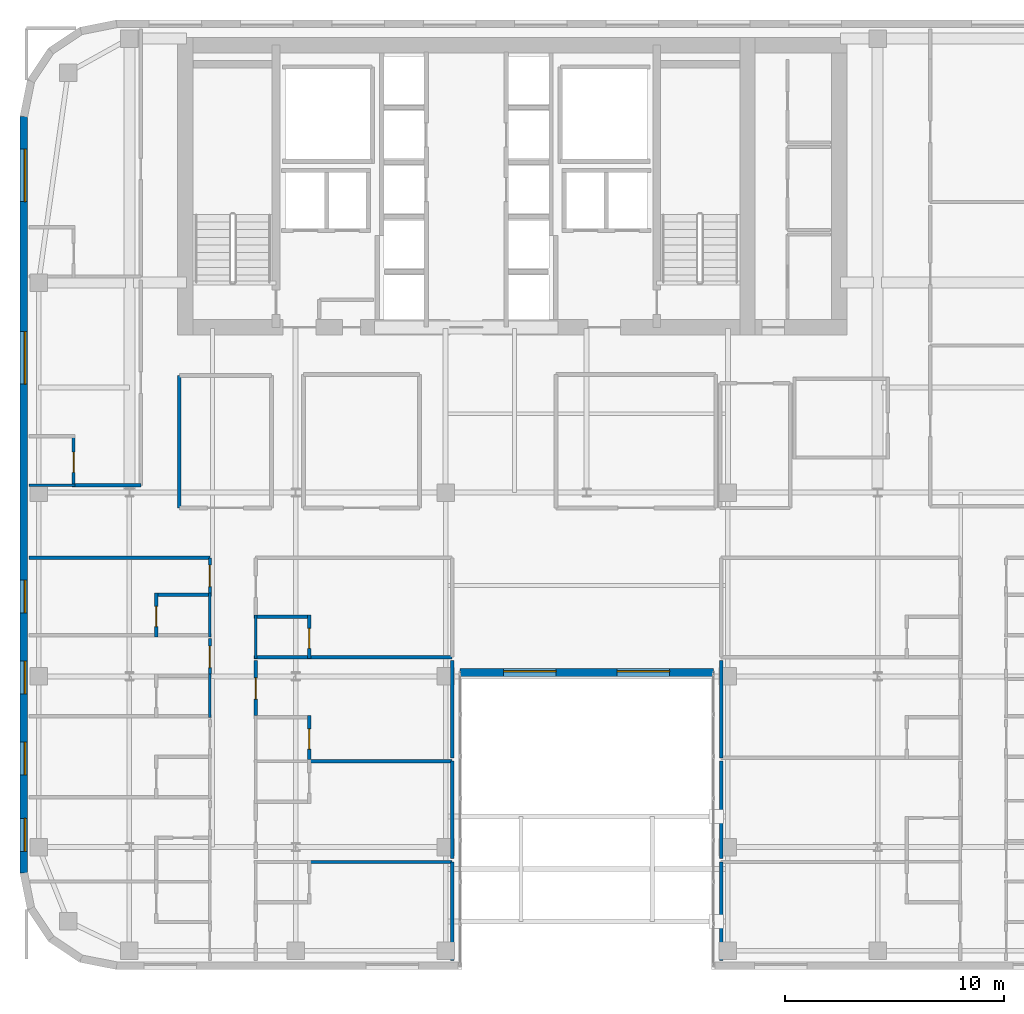
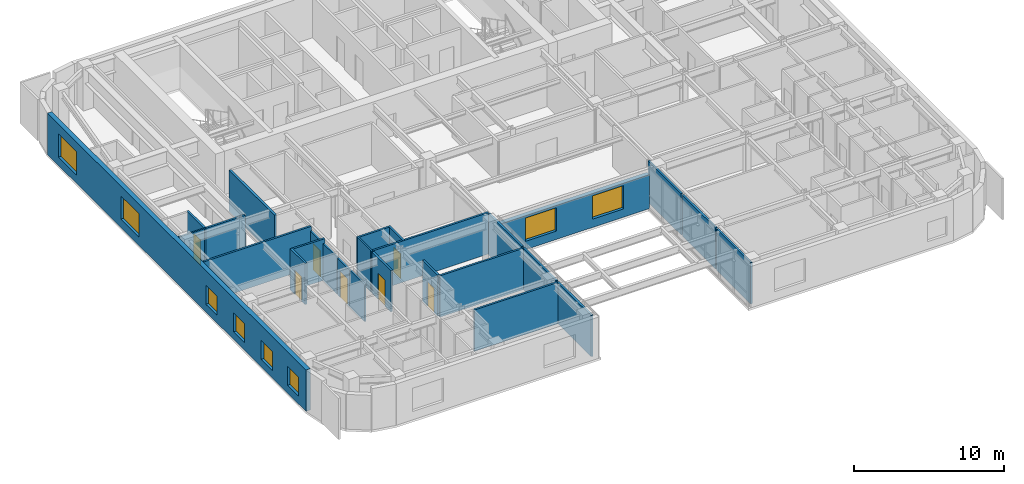
# One storey, part 8 of 15: 27 walls, 8 windows, 7 doors, 15 openings.
"""IFC4 building model written with IfcOpenShell, lengths in metres."""

from ifc_helpers import new_model, si_unit, direction, frame, frame_2d, origin, place, context, subcontext, project, spatial, rectangle, extrude, source, transform, mapped, material, layer, layer_set, type_object, type_shapes, element, fill, save


model = new_model("IFC4")

# Units and contexts
model_context = context("Model", 3, precision=1e-05, world=origin(), true_north=direction((0.0, 1.0)))
body_context = subcontext(model_context, "Body", "Model", "MODEL_VIEW")
ifc_project = project(units=[si_unit("LENGTHUNIT", "METRE"), si_unit("AREAUNIT", "SQUARE_METRE"), si_unit("VOLUMEUNIT", "CUBIC_METRE"), si_unit("PLANEANGLEUNIT", "RADIAN"), si_unit("MASSUNIT", "GRAM", prefix="KILO")], contexts=[model_context])

# Site, building, storey
site_placement = place(None, origin())
site = spatial("IfcSite", under=ifc_project, at=site_placement, CompositionType="ELEMENT")
building_placement = place(site_placement, origin())
building = spatial("IfcBuilding", under=site, at=building_placement, Name="Tolvann Quenvar Hotel", CompositionType="ELEMENT")
storey_placement = place(building_placement, frame((0.0, 0.0, 164.800048828125)))
storey = spatial("IfcBuildingStorey", under=building, at=storey_placement, Name="L43", CompositionType="ELEMENT", Elevation=164.800048828125)

# Wall, openings, windows
ifc_material_1 = material(Name="Kiln-fired red and buff architectural clay brickwork and terracotta masonry", Category="masonry")
ifc_layer_1 = layer(ifc_material_1, 0.35009765625)
ifc_layer_set_1 = layer_set([ifc_layer_1], Name="Kiln-fired red and buff architectural clay brickwork and terracotta masonry")
wall_type_1 = type_object("IfcWallType", Name="WALL_EXT_BRICK_350", PredefinedType="SOLIDWALL", material=ifc_layer_set_1)
wall_1_placement = place(storey_placement, frame((22.7099609375, 16.175048828125, 0.0), z_axis=(0.0, 0.0, 1.0), x_axis=(1.0, 0.0, 0.0)))
wall_1 = element("IfcWall", 1, at=wall_1_placement, inside=storey, type_object=wall_type_1, Name="Exterior Chicago Brick Wall L43-E06", PredefinedType="SOLIDWALL", context=body_context, shape_type="SweptSolid", body=[
    extrude(rectangle(XDim=11.580078125, YDim=0.35009765625, at=frame_2d((5.7900390625, 0.0))), origin(), (0.0, 0.0, 1.0), 2.758056640625),
])
opening_1_placement = place(wall_1_placement, frame((1.9951171875, 0.0, 0.679931640625)))
opening_1 = element("IfcOpeningElement", 2, at=opening_1_placement, cuts=wall_1, Name="Opening W-01", PredefinedType="OPENING", context=body_context, shape_type="SweptSolid", body=[
    extrude(rectangle(XDim=2.39990234375, YDim=1.89990234375, at=frame_2d((1.199951171875, 0.949951171875))), frame((0.0, 0.18505859375, 0.0), z_axis=(0.0, -1.0, 0.0), x_axis=(1.0, 0.0, 0.0)), (0.0, 0.0, 1.0), 0.3701171875),
])
opening_2_placement = place(wall_1_placement, frame((7.18505859375, 0.0, 0.679931640625)))
opening_2 = element("IfcOpeningElement", 3, at=opening_2_placement, cuts=wall_1, Name="Opening W-01", PredefinedType="OPENING", context=body_context, shape_type="SweptSolid", body=[
    extrude(rectangle(XDim=2.39990234375, YDim=1.89990234375, at=frame_2d((1.199951171875, 0.949951171875))), frame((0.0, 0.18505859375, 0.0), z_axis=(0.0, -1.0, 0.0), x_axis=(1.0, 0.0, 0.0)), (0.0, 0.0, 1.0), 0.3701171875),
])
ifc_material_2 = material(Name="Thermally broken bronze-anodised aluminium frame with double low-E glazing", Category="aluminium")
window_type_1 = type_object("IfcWindowType", Name="WIN_CHI_2400x2050", PartitioningType="TRIPLE_PANEL_HORIZONTAL", PredefinedType="WINDOW", material=ifc_material_2)
shared_shape_1 = source(origin(), body_context, "Body", "SweptSolid", [
    extrude(rectangle(XDim=2.39990234375, YDim=1.89990234375, at=frame_2d((1.199951171875, 0.949951171875))), frame((0.0, 0.090087890625, 0.0), z_axis=(0.0, -1.0, 0.0), x_axis=(1.0, 0.0, 0.0)), (0.0, 0.0, 1.0), 0.06005859375),
])
type_shapes(window_type_1, [shared_shape_1])
window_1_placement = place(opening_1_placement, origin())
window_1 = element("IfcWindow", 4, at=window_1_placement, inside=storey, type_object=window_type_1, Name="Chicago Window W-01 (EW-L43-E06-W01)", OverallHeight=1.89990234375, OverallWidth=2.39990234375, PartitioningType="TRIPLE_PANEL_HORIZONTAL", PredefinedType="WINDOW", context=body_context, shape_type="MappedRepresentation", body=[
    mapped(shared_shape_1, transform((0.0, 0.0, 0.0), x_axis=(1.0, 0.0, 0.0), y_axis=(0.0, 1.0, 0.0), z_axis=(0.0, 0.0, 1.0), scale=1.0)),
])
fill(opening_1, window_1)
window_2_placement = place(opening_2_placement, origin())
window_2 = element("IfcWindow", 5, at=window_2_placement, inside=storey, type_object=window_type_1, Name="Chicago Window W-01 (EW-L43-E06-W02)", OverallHeight=1.89990234375, OverallWidth=2.39990234375, PartitioningType="TRIPLE_PANEL_HORIZONTAL", PredefinedType="WINDOW", context=body_context, shape_type="MappedRepresentation", body=[
    mapped(shared_shape_1, transform((0.0, 0.0, 0.0), x_axis=(1.0, 0.0, 0.0), y_axis=(0.0, 1.0, 0.0), z_axis=(0.0, 0.0, 1.0), scale=1.0)),
])
fill(opening_2, window_2)

wall_2_placement = place(storey_placement, frame((2.77490234375, 41.582763671875, 0.0), z_axis=(0.0, 0.0, 1.0), x_axis=(0.0, -1.0, 0.0)))
wall_2 = element("IfcWall", 6, at=wall_2_placement, inside=storey, type_object=wall_type_1, Name="Exterior Chicago Brick Wall L43-E23", PredefinedType="SOLIDWALL", context=body_context, shape_type="SweptSolid", body=[
    extrude(rectangle(XDim=34.565673828125, YDim=0.35009765625, at=frame_2d((17.28271484375, 0.0))), origin(), (0.0, 0.0, 1.0), 3.369873046875),
])
opening_3_placement = place(wall_2_placement, frame((1.485107421875, 0.0, 0.679931640625)))
opening_3 = element("IfcOpeningElement", 7, at=opening_3_placement, cuts=wall_2, Name="Opening W-01", PredefinedType="OPENING", context=body_context, shape_type="SweptSolid", body=[
    extrude(rectangle(XDim=2.39990234375, YDim=1.89990234375, at=frame_2d((1.199951171875, 0.949951171875))), frame((0.0, 0.18505859375, 0.0), z_axis=(0.0, -1.0, 0.0), x_axis=(1.0, 0.0, 0.0)), (0.0, 0.0, 1.0), 0.3701171875),
])
opening_4_placement = place(wall_2_placement, frame((9.826904296875, 0.0, 0.679931640625)))
opening_4 = element("IfcOpeningElement", 8, at=opening_4_placement, cuts=wall_2, Name="Opening W-01", PredefinedType="OPENING", context=body_context, shape_type="SweptSolid", body=[
    extrude(rectangle(XDim=2.39990234375, YDim=1.89990234375, at=frame_2d((1.199951171875, 0.949951171875))), frame((0.0, 0.18505859375, 0.0), z_axis=(0.0, -1.0, 0.0), x_axis=(1.0, 0.0, 0.0)), (0.0, 0.0, 1.0), 0.3701171875),
])
opening_5_placement = place(wall_2_placement, frame((32.0791015625, 0.0, 0.6201171875)))
opening_5 = element("IfcOpeningElement", 9, at=opening_5_placement, cuts=wall_2, Name="Opening W-08", PredefinedType="OPENING", context=body_context, shape_type="SweptSolid", body=[
    extrude(rectangle(XDim=1.5, YDim=1.550048828125, at=frame_2d((0.75, 0.77490234375))), frame((0.0, 0.18505859375, 0.0), z_axis=(0.0, -1.0, 0.0), x_axis=(1.0, 0.0, 0.0)), (0.0, 0.0, 1.0), 0.3701171875),
])
opening_6_placement = place(wall_2_placement, frame((28.5830078125, 0.0, 0.6201171875)))
opening_6 = element("IfcOpeningElement", 10, at=opening_6_placement, cuts=wall_2, Name="Opening W-08", PredefinedType="OPENING", context=body_context, shape_type="SweptSolid", body=[
    extrude(rectangle(XDim=1.5, YDim=1.550048828125, at=frame_2d((0.75, 0.77490234375))), frame((0.0, 0.18505859375, 0.0), z_axis=(0.0, -1.0, 0.0), x_axis=(1.0, 0.0, 0.0)), (0.0, 0.0, 1.0), 0.3701171875),
])
opening_7_placement = place(wall_2_placement, frame((24.883056640625, 0.0, 0.6201171875)))
opening_7 = element("IfcOpeningElement", 11, at=opening_7_placement, cuts=wall_2, Name="Opening W-08", PredefinedType="OPENING", context=body_context, shape_type="SweptSolid", body=[
    extrude(rectangle(XDim=1.5, YDim=1.550048828125, at=frame_2d((0.75, 0.77490234375))), frame((0.0, 0.18505859375, 0.0), z_axis=(0.0, -1.0, 0.0), x_axis=(1.0, 0.0, 0.0)), (0.0, 0.0, 1.0), 0.3701171875),
])
opening_8_placement = place(wall_2_placement, frame((21.18310546875, 0.0, 0.6201171875)))
opening_8 = element("IfcOpeningElement", 12, at=opening_8_placement, cuts=wall_2, Name="Opening W-08", PredefinedType="OPENING", context=body_context, shape_type="SweptSolid", body=[
    extrude(rectangle(XDim=1.5, YDim=1.550048828125, at=frame_2d((0.75, 0.77490234375))), frame((0.0, 0.18505859375, 0.0), z_axis=(0.0, -1.0, 0.0), x_axis=(1.0, 0.0, 0.0)), (0.0, 0.0, 1.0), 0.3701171875),
])
window_type_2 = type_object("IfcWindowType", Name="WIN_COR_1500x2050", PartitioningType="SINGLE_PANEL", PredefinedType="WINDOW", material=ifc_material_2)
shared_shape_2 = source(origin(), body_context, "Body", "SweptSolid", [
    extrude(rectangle(XDim=1.5, YDim=1.550048828125, at=frame_2d((0.75, 0.77490234375))), frame((0.0, 0.090087890625, 0.0), z_axis=(0.0, -1.0, 0.0), x_axis=(1.0, 0.0, 0.0)), (0.0, 0.0, 1.0), 0.06005859375),
])
type_shapes(window_type_2, [shared_shape_2])
window_3_placement = place(opening_5_placement, origin())
window_3 = element("IfcWindow", 13, at=window_3_placement, inside=storey, type_object=window_type_2, Name="Chicago Window W-08 (EW-L43-E23-WD03)", OverallHeight=1.550048828125, OverallWidth=1.5, PartitioningType="SINGLE_PANEL", PredefinedType="WINDOW", context=body_context, shape_type="MappedRepresentation", body=[
    mapped(shared_shape_2, transform((0.0, 0.0, 0.0), x_axis=(1.0, 0.0, 0.0), y_axis=(0.0, 1.0, 0.0), z_axis=(0.0, 0.0, 1.0), scale=1.0)),
])
fill(opening_5, window_3)
window_4_placement = place(opening_6_placement, origin())
window_4 = element("IfcWindow", 14, at=window_4_placement, inside=storey, type_object=window_type_2, Name="Chicago Window W-08 (EW-L43-E23-WD04)", OverallHeight=1.550048828125, OverallWidth=1.5, PartitioningType="SINGLE_PANEL", PredefinedType="WINDOW", context=body_context, shape_type="MappedRepresentation", body=[
    mapped(shared_shape_2, transform((0.0, 0.0, 0.0), x_axis=(1.0, 0.0, 0.0), y_axis=(0.0, 1.0, 0.0), z_axis=(0.0, 0.0, 1.0), scale=1.0)),
])
fill(opening_6, window_4)
window_5_placement = place(opening_7_placement, origin())
window_5 = element("IfcWindow", 15, at=window_5_placement, inside=storey, type_object=window_type_2, Name="Chicago Window W-08 (EW-L43-E23-WD05)", OverallHeight=1.550048828125, OverallWidth=1.5, PartitioningType="SINGLE_PANEL", PredefinedType="WINDOW", context=body_context, shape_type="MappedRepresentation", body=[
    mapped(shared_shape_2, transform((0.0, 0.0, 0.0), x_axis=(1.0, 0.0, 0.0), y_axis=(0.0, 1.0, 0.0), z_axis=(0.0, 0.0, 1.0), scale=1.0)),
])
fill(opening_7, window_5)
window_6_placement = place(opening_8_placement, origin())
window_6 = element("IfcWindow", 16, at=window_6_placement, inside=storey, type_object=window_type_2, Name="Chicago Window W-08 (EW-L43-E23-WD06)", OverallHeight=1.550048828125, OverallWidth=1.5, PartitioningType="SINGLE_PANEL", PredefinedType="WINDOW", context=body_context, shape_type="MappedRepresentation", body=[
    mapped(shared_shape_2, transform((0.0, 0.0, 0.0), x_axis=(1.0, 0.0, 0.0), y_axis=(0.0, 1.0, 0.0), z_axis=(0.0, 0.0, 1.0), scale=1.0)),
])
fill(opening_8, window_6)
window_7_placement = place(opening_3_placement, origin())
window_7 = element("IfcWindow", 17, at=window_7_placement, inside=storey, type_object=window_type_1, Name="Chicago Window W-01 (EW-L43-E23-W01)", OverallHeight=1.89990234375, OverallWidth=2.39990234375, PartitioningType="TRIPLE_PANEL_HORIZONTAL", PredefinedType="WINDOW", context=body_context, shape_type="MappedRepresentation", body=[
    mapped(shared_shape_1, transform((0.0, 0.0, 0.0), x_axis=(1.0, 0.0, 0.0), y_axis=(0.0, 1.0, 0.0), z_axis=(0.0, 0.0, 1.0), scale=1.0)),
])
fill(opening_3, window_7)
window_8_placement = place(opening_4_placement, origin())
window_8 = element("IfcWindow", 18, at=window_8_placement, inside=storey, type_object=window_type_1, Name="Chicago Window W-01 (EW-L43-E23-W02)", OverallHeight=1.89990234375, OverallWidth=2.39990234375, PartitioningType="TRIPLE_PANEL_HORIZONTAL", PredefinedType="WINDOW", context=body_context, shape_type="MappedRepresentation", body=[
    mapped(shared_shape_1, transform((0.0, 0.0, 0.0), x_axis=(1.0, 0.0, 0.0), y_axis=(0.0, 1.0, 0.0), z_axis=(0.0, 0.0, 1.0), scale=1.0)),
])
fill(opening_4, window_8)

# Walls
ifc_material_3 = material(Name="Acoustic twin-stud fire-rated gypsum plasterboard partition")
ifc_layer_2 = layer(ifc_material_3, 0.179931640625)
ifc_layer_set_2 = layer_set([ifc_layer_2], Name="Acoustic twin-stud fire-rated gypsum plasterboard partition")
wall_type_2 = type_object("IfcWallType", Name="WALL_PART_ACOUSTIC_180", PredefinedType="PARTITIONING", material=ifc_layer_set_2)
wall_3_placement = place(storey_placement, frame((9.8798828125, 23.699951171875, 0.0), z_axis=(0.0, 0.0, 1.0), x_axis=(0.0, 1.0, 0.0)))
element("IfcWall", 19, at=wall_3_placement, inside=storey, type_object=wall_type_2, Name="Interior Partition PT-SPC-L43-MSP-W-W", PredefinedType="PARTITIONING", context=body_context, shape_type="SweptSolid", body=[
    extrude(rectangle(XDim=6.050048828125, YDim=0.179931640625, at=frame_2d((3.02490234375, 0.0))), origin(), (0.0, 0.0, 1.0), 3.369873046875),
])
ifc_material_4 = material(Name="Moisture-resistant acoustic plumbing wall assembly")
ifc_layer_3 = layer(ifc_material_4, 0.1201171875)
ifc_layer_set_3 = layer_set([ifc_layer_3], Name="Moisture-resistant acoustic plumbing wall assembly")
wall_type_3 = type_object("IfcWallType", Name="WALL_PART_BATH_120", PredefinedType="PLUMBINGWALL", material=ifc_layer_set_3)
for number, where, z_axis, x_axis, name in (
    (20, (11.280029296875, 14.110107421875, 0.0), (0.0, 0.0, 1.0), (0.0, 1.0, 0.0), "Non-Rated Plumbing Partition PT-SPC-L43-ENS-WO04-E"),
    (21, (11.280029296875, 17.81005859375, 0.0), (0.0, 0.0, 1.0), (0.0, 1.0, 0.0), "Non-Rated Plumbing Partition PT-SPC-L43-ENS-WO05-E"),
):
    element("IfcWall", number, at=place(storey_placement, frame(where, z_axis=z_axis, x_axis=x_axis)), inside=storey, type_object=wall_type_3, Name=name, PredefinedType="PLUMBINGWALL", context=body_context, shape_type="SweptSolid", body=[
        extrude(rectangle(XDim=1.989990234375, YDim=0.1201171875, at=frame_2d((0.9951171875, 0.0))), origin(), (0.0, 0.0, 1.0), 3.0009765625),
    ])
wall_4_placement = place(storey_placement, frame((13.3701171875, 16.81005859375, 0.0), z_axis=(0.0, 0.0, 1.0), x_axis=(0.0, 1.0, 0.0)))
element("IfcWall", 22, at=wall_4_placement, inside=storey, type_object=wall_type_3, Name="Non-Rated Plumbing Partition PT-SPC-L43-ENS-WI04-W", PredefinedType="PLUMBINGWALL", context=body_context, shape_type="SweptSolid", body=[
    extrude(rectangle(XDim=1.989990234375, YDim=0.1201171875, at=frame_2d((0.9951171875, 0.0))), origin(), (0.0, 0.0, 1.0), 3.369873046875),
])
wall_5_placement = place(storey_placement, frame((3.0048828125, 24.72998046875, 0.0), z_axis=(0.0, 0.0, 1.0), x_axis=(1.0, 0.0, 0.0)))
element("IfcWall", 23, at=wall_5_placement, inside=storey, type_object=wall_type_3, Name="Non-Rated Plumbing Partition PT-SPC-L43-ENS-NW01-S", PredefinedType="PLUMBINGWALL", context=body_context, shape_type="SweptSolid", body=[
    extrude(rectangle(XDim=2.115234375, YDim=0.1201171875, at=frame_2d((1.0576171875, 0.0))), origin(), (0.0, 0.0, 1.0), 3.369873046875),
])

# Wall, opening, door
ifc_layer_4 = layer(ifc_material_3, 0.14990234375)
ifc_layer_set_4 = layer_set([ifc_layer_4], Name="Acoustic twin-stud fire-rated gypsum plasterboard partition")
wall_type_4 = type_object("IfcWallType", Name="WALL_PART_SUITE_150", PredefinedType="PARTITIONING", material=ifc_layer_set_4)
wall_6_placement = place(storey_placement, frame((8.830078125, 17.81005859375, 0.0), z_axis=(0.0, 0.0, 1.0), x_axis=(0.0, 1.0, 0.0)))
wall_6 = element("IfcWall", 24, at=wall_6_placement, inside=storey, type_object=wall_type_4, Name="Interior Partition PT-SPC-L43-ENS-WO05-ENT", PredefinedType="PARTITIONING", context=body_context, shape_type="SweptSolid", body=[
    extrude(rectangle(XDim=1.989990234375, YDim=0.14990234375, at=frame_2d((0.9951171875, 0.0))), origin(), (0.0, 0.0, 1.0), 3.369873046875),
])
opening_9_placement = place(wall_6_placement, frame((0.465087890625, 0.0, 0.0)))
opening_9 = element("IfcOpeningElement", 25, at=opening_9_placement, cuts=wall_6, Name="Opening WD-01", PredefinedType="OPENING", context=body_context, shape_type="SweptSolid", body=[
    extrude(rectangle(XDim=0.919921875, YDim=2.010009765625, at=frame_2d((0.4599609375, 1.0048828125))), frame((0.0, 0.0849609375, 0.0), z_axis=(0.0, -1.0, 0.0), x_axis=(1.0, 0.0, 0.0)), (0.0, 0.0, 1.0), 0.169921875),
])
ifc_material_5 = material(Name="Solid-core American oak acoustic fire door leaf in steel frame", Category="steel")
door_type_1 = type_object("IfcDoorType", Name="DOOR_WC_920", OperationType="NOTDEFINED", PredefinedType="DOOR", material=ifc_material_5)
shared_shape_3 = source(origin(), body_context, "Body", "SweptSolid", [
    extrude(rectangle(XDim=0.919921875, YDim=2.010009765625, at=frame_2d((0.4599609375, 1.0048828125))), frame((0.0, 0.02490234375, 0.0), z_axis=(0.0, -1.0, 0.0), x_axis=(1.0, 0.0, 0.0)), (0.0, 0.0, 1.0), 0.050048828125),
])
type_shapes(door_type_1, [shared_shape_3])
door_1_placement = place(opening_9_placement, origin())
door_1 = element("IfcDoor", 26, at=door_1_placement, inside=storey, type_object=door_type_1, Name="Interior Door DOOR-SPC-L43-ENS-WO05", OperationType="SINGLE_SWING_LEFT", OverallHeight=2.010009765625, OverallWidth=0.919921875, PredefinedType="DOOR", context=body_context, shape_type="MappedRepresentation", body=[
    mapped(shared_shape_3, transform((0.0, 0.0, 0.0), x_axis=(1.0, 0.0, 0.0), y_axis=(0.0, 1.0, 0.0), z_axis=(0.0, 0.0, 1.0), scale=1.0)),
])
fill(opening_9, door_1)

# Wall
wall_7_placement = place(storey_placement, frame((8.760009765625, 19.72998046875, 0.0), z_axis=(0.0, 0.0, 1.0), x_axis=(1.0, 0.0, 0.0)))
element("IfcWall", 27, at=wall_7_placement, inside=storey, type_object=wall_type_4, Name="Interior Partition PT-SPC-L43-ENS-WO05-N", PredefinedType="PARTITIONING", context=body_context, shape_type="SweptSolid", body=[
    extrude(rectangle(XDim=2.590087890625, YDim=0.14990234375, at=frame_2d((1.294921875, 0.0))), origin(), (0.0, 0.0, 1.0), 3.369873046875),
])

# Wall, opening, door
wall_8_placement = place(storey_placement, frame((15.820068359375, 12.2099609375, 0.0), z_axis=(0.0, 0.0, 1.0), x_axis=(0.0, 1.0, 0.0)))
wall_8 = element("IfcWall", 28, at=wall_8_placement, inside=storey, type_object=wall_type_4, Name="Interior Partition PT-SPC-L43-ENS-WI03-ENT", PredefinedType="PARTITIONING", context=body_context, shape_type="SweptSolid", body=[
    extrude(rectangle(XDim=1.989990234375, YDim=0.14990234375, at=frame_2d((0.9951171875, 0.0))), origin(), (0.0, 0.0, 1.0), 3.369873046875),
])
opening_10_placement = place(wall_8_placement, frame((0.465087890625, 0.0, 0.0)))
opening_10 = element("IfcOpeningElement", 29, at=opening_10_placement, cuts=wall_8, Name="Opening WD-01", PredefinedType="OPENING", context=body_context, shape_type="SweptSolid", body=[
    extrude(rectangle(XDim=0.919921875, YDim=2.010009765625, at=frame_2d((0.4599609375, 1.0048828125))), frame((0.0, 0.0849609375, 0.0), z_axis=(0.0, -1.0, 0.0), x_axis=(1.0, 0.0, 0.0)), (0.0, 0.0, 1.0), 0.169921875),
])
door_2_placement = place(opening_10_placement, origin())
door_2 = element("IfcDoor", 30, at=door_2_placement, inside=storey, type_object=door_type_1, Name="Interior Door DOOR-SPC-L43-ENS-WI03", OperationType="SINGLE_SWING_RIGHT", OverallHeight=2.010009765625, OverallWidth=0.919921875, PredefinedType="DOOR", context=body_context, shape_type="MappedRepresentation", body=[
    mapped(shared_shape_3, transform((0.0, 0.0, 0.0), x_axis=(1.0, 0.0, 0.0), y_axis=(0.0, 1.0, 0.0), z_axis=(0.0, 0.0, 1.0), scale=1.0)),
])
fill(opening_10, door_2)

wall_9_placement = place(storey_placement, frame((15.820068359375, 16.81005859375, 0.0), z_axis=(0.0, 0.0, 1.0), x_axis=(0.0, 1.0, 0.0)))
wall_9 = element("IfcWall", 31, at=wall_9_placement, inside=storey, type_object=wall_type_4, Name="Interior Partition PT-SPC-L43-ENS-WI04-ENT", PredefinedType="PARTITIONING", context=body_context, shape_type="SweptSolid", body=[
    extrude(rectangle(XDim=1.989990234375, YDim=0.14990234375, at=frame_2d((0.9951171875, 0.0))), origin(), (0.0, 0.0, 1.0), 3.369873046875),
])
opening_11_placement = place(wall_9_placement, frame((0.465087890625, 0.0, 0.0)))
opening_11 = element("IfcOpeningElement", 32, at=opening_11_placement, cuts=wall_9, Name="Opening WD-01", PredefinedType="OPENING", context=body_context, shape_type="SweptSolid", body=[
    extrude(rectangle(XDim=0.919921875, YDim=2.010009765625, at=frame_2d((0.4599609375, 1.0048828125))), frame((0.0, 0.0849609375, 0.0), z_axis=(0.0, -1.0, 0.0), x_axis=(1.0, 0.0, 0.0)), (0.0, 0.0, 1.0), 0.169921875),
])
door_3_placement = place(opening_11_placement, origin())
door_3 = element("IfcDoor", 33, at=door_3_placement, inside=storey, type_object=door_type_1, Name="Interior Door DOOR-SPC-L43-ENS-WI04", OperationType="SINGLE_SWING_LEFT", OverallHeight=2.010009765625, OverallWidth=0.919921875, PredefinedType="DOOR", context=body_context, shape_type="MappedRepresentation", body=[
    mapped(shared_shape_3, transform((0.0, 0.0, 0.0), x_axis=(1.0, 0.0, 0.0), y_axis=(0.0, 1.0, 0.0), z_axis=(0.0, 0.0, 1.0), scale=1.0)),
])
fill(opening_11, door_3)

# Walls
wall_10_placement = place(storey_placement, frame((13.300048828125, 16.8798828125, 0.0), z_axis=(0.0, 0.0, 1.0), x_axis=(1.0, 0.0, 0.0)))
element("IfcWall", 34, at=wall_10_placement, inside=storey, type_object=wall_type_4, Name="Interior Partition PT-SPC-L43-ENS-WI04-S", PredefinedType="PARTITIONING", context=body_context, shape_type="SweptSolid", body=[
    extrude(rectangle(XDim=9.050048828125, YDim=0.14990234375, at=frame_2d((4.52490234375, 0.0))), origin(), (0.0, 0.0, 1.0), 3.369873046875),
])
wall_11_placement = place(storey_placement, frame((13.300048828125, 18.72998046875, 0.0), z_axis=(0.0, 0.0, 1.0), x_axis=(1.0, 0.0, 0.0)))
element("IfcWall", 35, at=wall_11_placement, inside=storey, type_object=wall_type_4, Name="Interior Partition PT-SPC-L43-ENS-WI04-N", PredefinedType="PARTITIONING", context=body_context, shape_type="SweptSolid", body=[
    extrude(rectangle(XDim=2.58984375, YDim=0.14990234375, at=frame_2d((1.294921875, 0.0))), origin(), (0.0, 0.0, 1.0), 3.369873046875),
])

# Wall, opening, door
wall_12_placement = place(storey_placement, frame((5.050048828125, 24.659912109375, 0.0), z_axis=(0.0, 0.0, 1.0), x_axis=(0.0, 1.0, 0.0)))
wall_12 = element("IfcWall", 36, at=wall_12_placement, inside=storey, type_object=wall_type_4, Name="Interior Partition PT-SPC-L43-ENS-NW01-ENT", PredefinedType="PARTITIONING", context=body_context, shape_type="SweptSolid", body=[
    extrude(rectangle(XDim=2.39013671875, YDim=0.14990234375, at=frame_2d((1.195068359375, 0.0))), origin(), (0.0, 0.0, 1.0), 3.369873046875),
])
opening_12_placement = place(wall_12_placement, frame((0.6650390625, 0.0, 0.0)))
opening_12 = element("IfcOpeningElement", 37, at=opening_12_placement, cuts=wall_12, Name="Opening WD-01", PredefinedType="OPENING", context=body_context, shape_type="SweptSolid", body=[
    extrude(rectangle(XDim=0.919921875, YDim=2.010009765625, at=frame_2d((0.4599609375, 1.0048828125))), frame((0.0, 0.0849609375, 0.0), z_axis=(0.0, -1.0, 0.0), x_axis=(1.0, 0.0, 0.0)), (0.0, 0.0, 1.0), 0.169921875),
])
door_4_placement = place(opening_12_placement, origin())
door_4 = element("IfcDoor", 38, at=door_4_placement, inside=storey, type_object=door_type_1, Name="Interior Door DOOR-SPC-L43-ENS-NW01", OperationType="SINGLE_SWING_LEFT", OverallHeight=2.010009765625, OverallWidth=0.919921875, PredefinedType="DOOR", context=body_context, shape_type="MappedRepresentation", body=[
    mapped(shared_shape_3, transform((0.0, 0.0, 0.0), x_axis=(1.0, 0.0, 0.0), y_axis=(0.0, 1.0, 0.0), z_axis=(0.0, 0.0, 1.0), scale=1.0)),
])
fill(opening_12, door_4)

wall_13_placement = place(storey_placement, frame((11.280029296875, 16.110107421875, 0.0), z_axis=(0.0, 0.0, 1.0), x_axis=(0.0, 1.0, 0.0)))
wall_13 = element("IfcWall", 39, at=wall_13_placement, inside=storey, type_object=wall_type_4, Name="Interior Partition PT-SPC-L43-RM-WO04-ENT", PredefinedType="PARTITIONING", context=body_context, shape_type="SweptSolid", body=[
    extrude(rectangle(XDim=1.60986328125, YDim=0.14990234375, at=frame_2d((0.804931640625, 0.0))), origin(), (0.0, 0.0, 1.0), 3.0009765625),
])
opening_13_placement = place(wall_13_placement, frame((0.294921875, 0.0, 0.0)))
opening_13 = element("IfcOpeningElement", 40, at=opening_13_placement, cuts=wall_13, Name="Opening SD-01", PredefinedType="OPENING", context=body_context, shape_type="SweptSolid", body=[
    extrude(rectangle(XDim=0.97998046875, YDim=2.1201171875, at=frame_2d((0.489990234375, 1.06005859375))), frame((0.0, 0.0849609375, 0.0), z_axis=(0.0, -1.0, 0.0), x_axis=(1.0, 0.0, 0.0)), (0.0, 0.0, 1.0), 0.169921875),
])
door_type_2 = type_object("IfcDoorType", Name="DOOR_SUITE_980", OperationType="NOTDEFINED", PredefinedType="DOOR", material=ifc_material_5)
shared_shape_4 = source(origin(), body_context, "Body", "SweptSolid", [
    extrude(rectangle(XDim=0.97998046875, YDim=2.1201171875, at=frame_2d((0.489990234375, 1.06005859375))), frame((0.0, 0.02490234375, 0.0), z_axis=(0.0, -1.0, 0.0), x_axis=(1.0, 0.0, 0.0)), (0.0, 0.0, 1.0), 0.050048828125),
])
type_shapes(door_type_2, [shared_shape_4])
door_5_placement = place(opening_13_placement, origin())
door_5 = element("IfcDoor", 41, at=door_5_placement, inside=storey, type_object=door_type_2, Name="Interior Door DOOR-SPC-L43-RM-WO04", OperationType="SINGLE_SWING_RIGHT", OverallHeight=2.1201171875, OverallWidth=0.97998046875, PredefinedType="DOOR", context=body_context, shape_type="MappedRepresentation", body=[
    mapped(shared_shape_4, transform((0.0, 0.0, 0.0), x_axis=(1.0, 0.0, 0.0), y_axis=(0.0, 1.0, 0.0), z_axis=(0.0, 0.0, 1.0), scale=1.0)),
])
fill(opening_13, door_5)

wall_14_placement = place(storey_placement, frame((11.280029296875, 19.81005859375, 0.0), z_axis=(0.0, 0.0, 1.0), x_axis=(0.0, 1.0, 0.0)))
wall_14 = element("IfcWall", 42, at=wall_14_placement, inside=storey, type_object=wall_type_4, Name="Interior Partition PT-SPC-L43-RM-WO05-ENT", PredefinedType="PARTITIONING", context=body_context, shape_type="SweptSolid", body=[
    extrude(rectangle(XDim=1.60986328125, YDim=0.14990234375, at=frame_2d((0.804931640625, 0.0))), origin(), (0.0, 0.0, 1.0), 3.0009765625),
])
opening_14_placement = place(wall_14_placement, frame((0.294921875, 0.0, 0.0)))
opening_14 = element("IfcOpeningElement", 43, at=opening_14_placement, cuts=wall_14, Name="Opening SD-01", PredefinedType="OPENING", context=body_context, shape_type="SweptSolid", body=[
    extrude(rectangle(XDim=0.97998046875, YDim=2.1201171875, at=frame_2d((0.489990234375, 1.06005859375))), frame((0.0, 0.0849609375, 0.0), z_axis=(0.0, -1.0, 0.0), x_axis=(1.0, 0.0, 0.0)), (0.0, 0.0, 1.0), 0.169921875),
])
door_6_placement = place(opening_14_placement, origin())
door_6 = element("IfcDoor", 44, at=door_6_placement, inside=storey, type_object=door_type_2, Name="Interior Door DOOR-SPC-L43-RM-WO05", OperationType="SINGLE_SWING_LEFT", OverallHeight=2.1201171875, OverallWidth=0.97998046875, PredefinedType="DOOR", context=body_context, shape_type="MappedRepresentation", body=[
    mapped(shared_shape_4, transform((0.0, 0.0, 0.0), x_axis=(1.0, 0.0, 0.0), y_axis=(0.0, 1.0, 0.0), z_axis=(0.0, 0.0, 1.0), scale=1.0)),
])
fill(opening_14, door_6)

# Walls
wall_15_placement = place(storey_placement, frame((3.0048828125, 21.419921875, 0.0), z_axis=(0.0, 0.0, 1.0), x_axis=(1.0, 0.0, 0.0)))
element("IfcWall", 45, at=wall_15_placement, inside=storey, type_object=wall_type_4, Name="Interior Partition PT-SPC-L43-RM-WO05-E5", PredefinedType="PARTITIONING", context=body_context, shape_type="SweptSolid", body=[
    extrude(rectangle(XDim=8.275146484375, YDim=0.14990234375, at=frame_2d((4.1376953125, 0.0))), origin(), (0.0, 0.0, 1.0), 3.369873046875),
])
wall_16_placement = place(storey_placement, frame((22.35009765625, 3.0048828125, 0.0), z_axis=(0.0, 0.0, 1.0), x_axis=(0.0, 1.0, 0.0)))
element("IfcWall", 46, at=wall_16_placement, inside=storey, type_object=wall_type_4, Name="Interior Partition PT-SPC-L43-RM-WI01-E2", PredefinedType="PARTITIONING", context=body_context, shape_type="SweptSolid", body=[
    extrude(rectangle(XDim=4.51513671875, YDim=0.14990234375, at=frame_2d((2.257568359375, 0.0))), origin(), (0.0, 0.0, 1.0), 3.369873046875),
])
wall_17_placement = place(storey_placement, frame((15.840087890625, 7.52001953125, 0.0), z_axis=(0.0, 0.0, 1.0), x_axis=(1.0, 0.0, 0.0)))
element("IfcWall", 47, at=wall_17_placement, inside=storey, type_object=wall_type_4, Name="Interior Partition PT-SPC-L43-RM-WI01-E3", PredefinedType="PARTITIONING", context=body_context, shape_type="SweptSolid", body=[
    extrude(rectangle(XDim=6.510009765625, YDim=0.14990234375, at=frame_2d((3.2548828125, 0.0))), origin(), (0.0, 0.0, 1.0), 3.369873046875),
])
wall_18_placement = place(storey_placement, frame((22.35009765625, 7.679931640625, 0.0), z_axis=(0.0, 0.0, 1.0), x_axis=(0.0, 1.0, 0.0)))
element("IfcWall", 48, at=wall_18_placement, inside=storey, type_object=wall_type_4, Name="Interior Partition PT-SPC-L43-RM-WI02-E2", PredefinedType="PARTITIONING", context=body_context, shape_type="SweptSolid", body=[
    extrude(rectangle(XDim=4.440185546875, YDim=0.14990234375, at=frame_2d((2.22021484375, 0.0))), origin(), (0.0, 0.0, 1.0), 3.369873046875),
])
wall_19_placement = place(storey_placement, frame((15.840087890625, 12.1201171875, 0.0), z_axis=(0.0, 0.0, 1.0), x_axis=(1.0, 0.0, 0.0)))
element("IfcWall", 49, at=wall_19_placement, inside=storey, type_object=wall_type_4, Name="Interior Partition PT-SPC-L43-RM-WI02-E3", PredefinedType="PARTITIONING", context=body_context, shape_type="SweptSolid", body=[
    extrude(rectangle(XDim=6.510009765625, YDim=0.14990234375, at=frame_2d((3.2548828125, 0.0))), origin(), (0.0, 0.0, 1.0), 3.369873046875),
])

# Wall, opening, door
wall_20_placement = place(storey_placement, frame((13.3701171875, 14.2099609375, 0.0), z_axis=(0.0, 0.0, 1.0), x_axis=(0.0, 1.0, 0.0)))
wall_20 = element("IfcWall", 50, at=wall_20_placement, inside=storey, type_object=wall_type_4, Name="Interior Partition PT-SPC-L43-RM-WI03-ENT", PredefinedType="PARTITIONING", context=body_context, shape_type="SweptSolid", body=[
    extrude(rectangle(XDim=2.510009765625, YDim=0.14990234375, at=frame_2d((1.2548828125, 0.0))), origin(), (0.0, 0.0, 1.0), 3.369873046875),
])
opening_15_placement = place(wall_20_placement, frame((0.7451171875, 0.0, 0.0)))
opening_15 = element("IfcOpeningElement", 51, at=opening_15_placement, cuts=wall_20, Name="Opening SD-01", PredefinedType="OPENING", context=body_context, shape_type="SweptSolid", body=[
    extrude(rectangle(XDim=0.97998046875, YDim=2.1201171875, at=frame_2d((0.489990234375, 1.06005859375))), frame((0.0, 0.0849609375, 0.0), z_axis=(0.0, -1.0, 0.0), x_axis=(1.0, 0.0, 0.0)), (0.0, 0.0, 1.0), 0.169921875),
])
door_7_placement = place(opening_15_placement, origin())
door_7 = element("IfcDoor", 52, at=door_7_placement, inside=storey, type_object=door_type_2, Name="Interior Door DOOR-SPC-L43-RM-WI03", OperationType="SINGLE_SWING_RIGHT", OverallHeight=2.1201171875, OverallWidth=0.97998046875, PredefinedType="DOOR", context=body_context, shape_type="MappedRepresentation", body=[
    mapped(shared_shape_4, transform((0.0, 0.0, 0.0), x_axis=(1.0, 0.0, 0.0), y_axis=(0.0, 1.0, 0.0), z_axis=(0.0, 0.0, 1.0), scale=1.0)),
])
fill(opening_15, door_7)

# Walls
wall_21_placement = place(storey_placement, frame((22.35009765625, 12.280029296875, 0.0), z_axis=(0.0, 0.0, 1.0), x_axis=(0.0, 1.0, 0.0)))
element("IfcWall", 53, at=wall_21_placement, inside=storey, type_object=wall_type_4, Name="Interior Partition PT-SPC-L43-RM-WI03-E4", PredefinedType="PARTITIONING", context=body_context, shape_type="SweptSolid", body=[
    extrude(rectangle(XDim=4.43994140625, YDim=0.14990234375, at=frame_2d((2.219970703125, 0.0))), origin(), (0.0, 0.0, 1.0), 3.369873046875),
])
wall_22_placement = place(storey_placement, frame((34.64990234375, 3.0048828125, 0.0), z_axis=(0.0, 0.0, 1.0), x_axis=(0.0, 1.0, 0.0)))
element("IfcWall", 54, at=wall_22_placement, inside=storey, type_object=wall_type_4, Name="Interior Partition PT-SPC-L43-RM-EI01-E6", PredefinedType="PARTITIONING", context=body_context, shape_type="SweptSolid", body=[
    extrude(rectangle(XDim=4.51513671875, YDim=0.14990234375, at=frame_2d((2.257568359375, 0.0))), origin(), (0.0, 0.0, 1.0), 3.369873046875),
])
wall_23_placement = place(storey_placement, frame((34.64990234375, 7.679931640625, 0.0), z_axis=(0.0, 0.0, 1.0), x_axis=(0.0, 1.0, 0.0)))
element("IfcWall", 55, at=wall_23_placement, inside=storey, type_object=wall_type_4, Name="Interior Partition PT-SPC-L43-RM-EI02-E6", PredefinedType="PARTITIONING", context=body_context, shape_type="SweptSolid", body=[
    extrude(rectangle(XDim=4.440185546875, YDim=0.14990234375, at=frame_2d((2.22021484375, 0.0))), origin(), (0.0, 0.0, 1.0), 3.369873046875),
])
wall_24_placement = place(storey_placement, frame((34.64990234375, 12.280029296875, 0.0), z_axis=(0.0, 0.0, 1.0), x_axis=(0.0, 1.0, 0.0)))
element("IfcWall", 56, at=wall_24_placement, inside=storey, type_object=wall_type_4, Name="Interior Partition PT-SPC-L43-RM-EI03-E6", PredefinedType="PARTITIONING", context=body_context, shape_type="SweptSolid", body=[
    extrude(rectangle(XDim=4.43994140625, YDim=0.14990234375, at=frame_2d((2.219970703125, 0.0))), origin(), (0.0, 0.0, 1.0), 3.369873046875),
])
wall_25_placement = place(storey_placement, frame((5.070068359375, 24.72998046875, 0.0), z_axis=(0.0, 0.0, 1.0), x_axis=(1.0, 0.0, 0.0)))
element("IfcWall", 57, at=wall_25_placement, inside=storey, type_object=wall_type_4, Name="Interior Partition PT-SPC-L43-RM-NW01-E3", PredefinedType="PARTITIONING", context=body_context, shape_type="SweptSolid", body=[
    extrude(rectangle(XDim=3.050048828125, YDim=0.14990234375, at=frame_2d((1.52490234375, 0.0))), origin(), (0.0, 0.0, 1.0), 3.369873046875),
])

save(model, "model.ifc")
